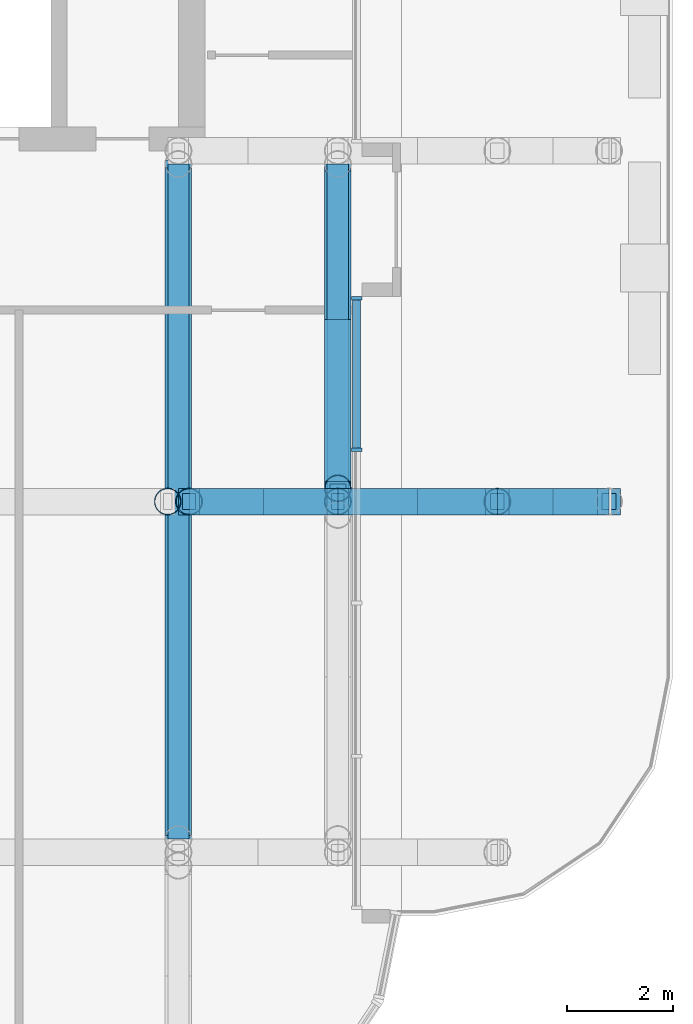
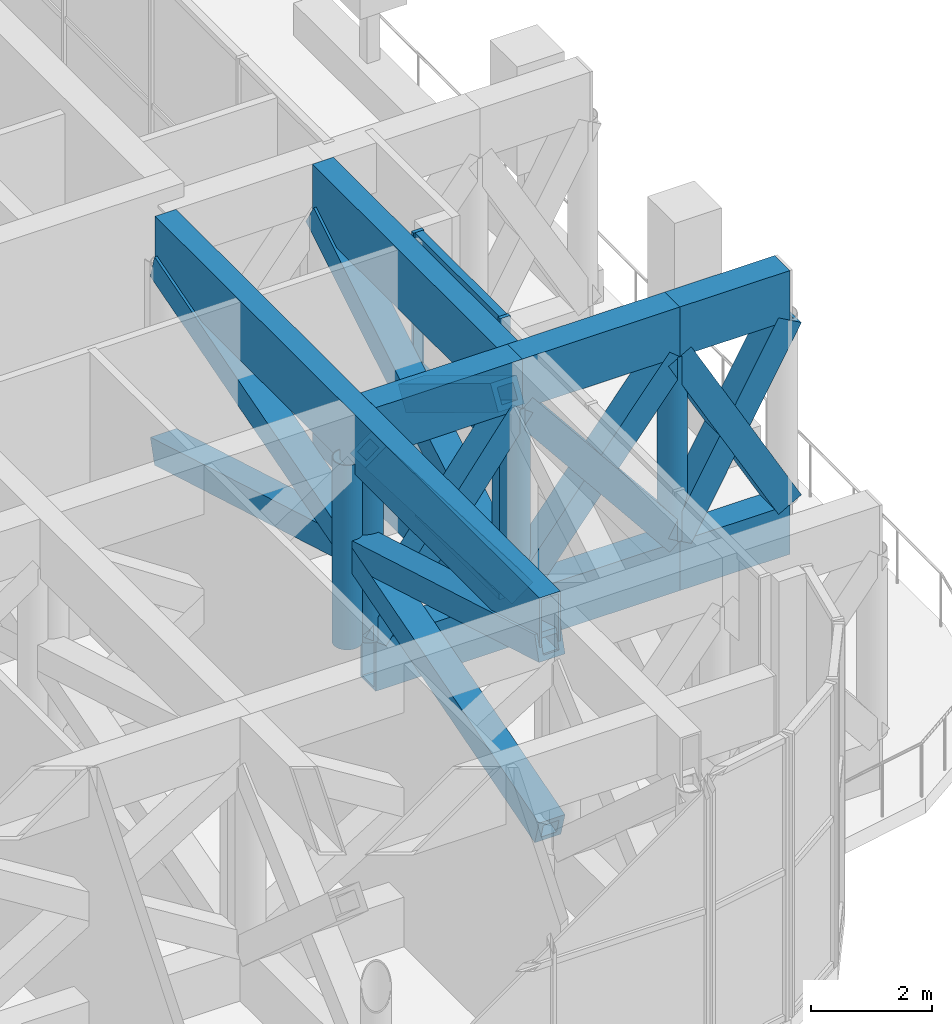
# One storey, part 6 of 25: 20 members, 9 beams, 1 element without a shape of its own.
"""IFC4 building model written with IfcOpenShell, lengths in metres."""

from ifc_helpers import new_model, si_unit, direction, frame, origin, origin_2d, place, context, subcontext, project, spatial, rectangle, hollow_rectangle, hollow_circle, extrude, material, layer, layer_set, material_profile, profile_set, type_object, element, aggregate, save


model = new_model("IFC4")

# Units and contexts
model_context = context("Model", 3, precision=1e-05, world=origin(), true_north=direction((0.0, 1.0)))
body_context = subcontext(model_context, "Body", "Model", "MODEL_VIEW")
ifc_project = project(units=[si_unit("LENGTHUNIT", "METRE"), si_unit("AREAUNIT", "SQUARE_METRE"), si_unit("VOLUMEUNIT", "CUBIC_METRE"), si_unit("PLANEANGLEUNIT", "RADIAN"), si_unit("MASSUNIT", "GRAM", prefix="KILO")], contexts=[model_context])

# Site, building, storey
site_placement = place(None, origin())
site = spatial("IfcSite", under=ifc_project, at=site_placement, CompositionType="ELEMENT")
building_placement = place(site_placement, origin())
building = spatial("IfcBuilding", under=site, at=building_placement, Name="Torana Hotel and Residences", CompositionType="ELEMENT")
storey_placement = place(building_placement, frame((0.0, 0.0, 106.800048828125)))
storey = spatial("IfcBuildingStorey", under=building, at=storey_placement, Name="L27", CompositionType="ELEMENT", Elevation=106.800048828125)

# Curtain wall, members
ifc_material_1 = material(Name="Dark anodised aluminium", Category="aluminium")
ifc_layer = layer(ifc_material_1, 0.199951171875)
ifc_layer_set = layer_set([ifc_layer], Name="CW2 SKY LOBBY UNITISED CURTAIN WALL")
curtain_wall_type = type_object("IfcCurtainWallType", Name="CW2 SKY LOBBY UNITISED CURTAIN WALL", PredefinedType="NOTDEFINED", material=ifc_layer_set)
curtain_wall_placement = place(storey_placement, origin())
curtain_wall = element("IfcCurtainWall", 1, at=curtain_wall_placement, inside=storey, type_object=curtain_wall_type, Name="Curtain wall CW2 L27 e0.19-1", PredefinedType="NOTDEFINED")
ifc_material_2 = material(Name="Dark anodised aluminium", Category="aluminium")
ifc_material_profile_1 = material_profile(ifc_material_2, rectangle(XDim=0.199951171875, YDim=0.070068359375, at=origin_2d()), Name="CW2 MULLION 70x200")
ifc_profile_set_1 = profile_set([ifc_material_profile_1], Name="Dark anodised aluminium")
member_type_1 = type_object("IfcMemberType", Name="CW2 MULLION 70x200", PredefinedType="MULLION", material=ifc_profile_set_1)
member_1_placement = place(storey_placement, frame((27.35498046875, -20.625244140625, 0.0), z_axis=(0.0, 0.0, 1.0), x_axis=(-1.0, 0.0, 0.0)))
member_1 = element("IfcMember", 2, at=member_1_placement, type_object=member_type_1, Name="CW2 mullion 4", PredefinedType="MULLION", context=body_context, shape_type="SweptSolid", body=[
    extrude(rectangle(XDim=0.199951171875, YDim=0.070068359375, at=origin_2d()), origin(), (0.0, 0.0, 1.0), 5.719970703125),
])
member_2_placement = place(storey_placement, frame((27.35498046875, -17.776611328125, 0.0), z_axis=(0.0, 0.0, 1.0), x_axis=(-1.0, 0.0, 0.0)))
member_2 = element("IfcMember", 3, at=member_2_placement, type_object=member_type_1, Name="CW2 mullion 5", PredefinedType="MULLION", context=body_context, shape_type="SweptSolid", body=[
    extrude(rectangle(XDim=0.199951171875, YDim=0.070068359375, at=origin_2d()), origin(), (0.0, 0.0, 1.0), 5.719970703125),
])
ifc_material_3 = material(Name="Dark anodised aluminium", Category="aluminium")
ifc_material_profile_2 = material_profile(ifc_material_3, rectangle(XDim=0.14990234375, YDim=0.1201171875, at=origin_2d()), Name="CW2 TRANSOM 150x120")
ifc_profile_set_2 = profile_set([ifc_material_profile_2], Name="Dark anodised aluminium")
member_type_2 = type_object("IfcMemberType", Name="CW2 TRANSOM 150x120", PredefinedType="USERDEFINED", material=ifc_profile_set_2)
member_3_placement = place(storey_placement, frame((27.35498046875, -20.590087890625, 0.06005859375), z_axis=(0.0, 1.0, 0.0), x_axis=(-1.0, 0.0, 0.0)))
member_3 = element("IfcMember", 4, at=member_3_placement, type_object=member_type_2, Name="CW2 transom 4.1", ObjectType="TRANSOM", PredefinedType="USERDEFINED", context=body_context, shape_type="SweptSolid", body=[
    extrude(rectangle(XDim=0.14990234375, YDim=0.1201171875, at=origin_2d()), origin(), (0.0, 0.0, 1.0), 2.7783203125),
])
member_4_placement = place(storey_placement, frame((27.35498046875, -20.590087890625, 3.0), z_axis=(0.0, 1.0, 0.0), x_axis=(-1.0, 0.0, 0.0)))
member_4 = element("IfcMember", 5, at=member_4_placement, type_object=member_type_2, Name="CW2 transom 4.2", ObjectType="TRANSOM", PredefinedType="USERDEFINED", context=body_context, shape_type="SweptSolid", body=[
    extrude(rectangle(XDim=0.14990234375, YDim=0.1201171875, at=origin_2d()), origin(), (0.0, 0.0, 1.0), 2.7783203125),
])
member_5_placement = place(storey_placement, frame((27.35498046875, -20.590087890625, 5.659912109375), z_axis=(0.0, 1.0, 0.0), x_axis=(-1.0, 0.0, 0.0)))
member_5 = element("IfcMember", 6, at=member_5_placement, type_object=member_type_2, Name="CW2 transom 4.3", ObjectType="TRANSOM", PredefinedType="USERDEFINED", context=body_context, shape_type="SweptSolid", body=[
    extrude(rectangle(XDim=0.14990234375, YDim=0.1201171875, at=origin_2d()), origin(), (0.0, 0.0, 1.0), 2.7783203125),
])
aggregate(curtain_wall, [member_1, member_2, member_3, member_4, member_5])

# Beams
ifc_material_4 = material(Name="Steel S355", Category="steel")
ifc_material_profile_3 = material_profile(ifc_material_4, hollow_rectangle(XDim=0.5, YDim=1.0, WallThickness=0.050048828125, at=origin_2d()), Name="BOX 1000x500x50")
ifc_profile_set_3 = profile_set([ifc_material_profile_3], Name="Steel S355")
beam_type_1 = type_object("IfcBeamType", Name="STEEL CHORD BOX 1000x500x50", PredefinedType="BEAM", material=ifc_profile_set_3)
for number, where, z_axis, x_axis, name in (
    (7, (24.199951171875, -21.60009765625, 0.5), (1.0, 0.0, 0.0), (0.0, 1.0, 0.0), "Transfer chord L27"),
    (8, (24.199951171875, -21.60009765625, 5.219970703125), (1.0, 0.0, 0.0), (0.0, 1.0, 0.0), "Transfer chord L27"),
):
    element("IfcBeam", number, at=place(storey_placement, frame(where, z_axis=z_axis, x_axis=x_axis)), inside=storey, type_object=beam_type_1, Name=name, PredefinedType="BEAM", context=body_context, shape_type="SweptSolid", body=[
        extrude(hollow_rectangle(XDim=0.5, YDim=1.0, WallThickness=0.050048828125, at=origin_2d()), origin(), (0.0, 0.0, 1.0), 2.800048828125),
    ])
for number, where, z_axis, x_axis, name in (
    (9, (27.0, -21.60009765625, 0.5), (1.0, 0.0, 0.0), (0.0, 1.0, 0.0), "Transfer chord L27"),
    (10, (27.0, -21.60009765625, 5.219970703125), (1.0, 0.0, 0.0), (0.0, 1.0, 0.0), "Transfer chord L27"),
):
    element("IfcBeam", number, at=place(storey_placement, frame(where, z_axis=z_axis, x_axis=x_axis)), inside=storey, type_object=beam_type_1, Name=name, PredefinedType="BEAM", context=body_context, shape_type="SweptSolid", body=[
        extrude(hollow_rectangle(XDim=0.5, YDim=1.0, WallThickness=0.050048828125, at=origin_2d()), origin(), (0.0, 0.0, 1.0), 3.0),
    ])
for number, where, z_axis, x_axis, name in (
    (11, (30.0, -21.60009765625, 0.5), (1.0, 0.0, 0.0), (0.0, 1.0, 0.0), "Transfer chord L27"),
    (12, (30.0, -21.60009765625, 5.219970703125), (1.0, 0.0, 0.0), (0.0, 1.0, 0.0), "Transfer chord L27"),
):
    element("IfcBeam", number, at=place(storey_placement, frame(where, z_axis=z_axis, x_axis=x_axis)), inside=storey, type_object=beam_type_1, Name=name, PredefinedType="BEAM", context=body_context, shape_type="SweptSolid", body=[
        extrude(hollow_rectangle(XDim=0.5, YDim=1.0, WallThickness=0.050048828125, at=origin_2d()), origin(), (0.0, 0.0, 1.0), 2.10009765625),
    ])
ifc_material_5 = material(Name="Steel S355", Category="steel")
ifc_material_profile_4 = material_profile(ifc_material_5, hollow_rectangle(XDim=0.39990234375, YDim=1.199951171875, WallThickness=0.0400390625, at=origin_2d()), Name="BOX 1200x400x40")
ifc_profile_set_4 = profile_set([ifc_material_profile_4], Name="Steel S355")
beam_type_2 = type_object("IfcBeamType", Name="STEEL CHORD BOX 1200x400x40", PredefinedType="BEAM", material=ifc_profile_set_4)
beam_placement = place(storey_placement, frame((24.0, -27.949951171875, 5.119873046875), z_axis=(0.0, 1.0, 0.0), x_axis=(-1.0, 0.0, 0.0)))
element("IfcBeam", 13, at=beam_placement, inside=storey, type_object=beam_type_2, Name="Transfer chord L27", PredefinedType="BEAM", context=body_context, shape_type="SweptSolid", body=[
    extrude(hollow_rectangle(XDim=0.39990234375, YDim=1.199951171875, WallThickness=0.0400390625, at=origin_2d()), origin(), (0.0, 0.0, 1.0), 12.699951171875),
])
for number, where, z_axis, x_axis, name in (
    (14, (27.0, -21.35009765625, 0.599853515625), (0.0, 1.0, 0.0), (-1.0, 0.0, 0.0), "Transfer chord L27"),
    (15, (27.0, -21.35009765625, 5.119873046875), (0.0, 1.0, 0.0), (-1.0, 0.0, 0.0), "Transfer chord L27"),
):
    element("IfcBeam", number, at=place(storey_placement, frame(where, z_axis=z_axis, x_axis=x_axis)), inside=storey, type_object=beam_type_2, Name=name, PredefinedType="BEAM", context=body_context, shape_type="SweptSolid", body=[
        extrude(hollow_rectangle(XDim=0.39990234375, YDim=1.199951171875, WallThickness=0.0400390625, at=origin_2d()), origin(), (0.0, 0.0, 1.0), 6.10009765625),
    ])

# Members
ifc_material_6 = material(Name="Steel S355", Category="steel")
ifc_material_profile_5 = material_profile(ifc_material_6, hollow_rectangle(XDim=0.5, YDim=0.5, WallThickness=0.10009765625, at=origin_2d()), Name="BOX 500x500x100")
ifc_profile_set_5 = profile_set([ifc_material_profile_5], Name="Steel S355")
member_type_3 = type_object("IfcMemberType", Name="STEEL DIAGONAL BOX 500x500x100", PredefinedType="BRACE", material=ifc_profile_set_5)
for number, where, z_axis, x_axis, name in (
    (16, (24.199951171875, -21.60009765625, 1.0), (0.60138340044, 0.0, 0.798960578299), (0.0, 1.0, 0.0), "Truss diagonal L27"),
    (17, (27.0, -21.60009765625, 1.0), (-0.60138340044, 0.0, 0.798960578299), (0.0, -1.0, 0.0), "Truss diagonal L27"),
):
    element("IfcMember", number, at=place(storey_placement, frame(where, z_axis=z_axis, x_axis=x_axis)), inside=storey, type_object=member_type_3, Name=name, PredefinedType="BRACE", context=body_context, shape_type="SweptSolid", body=[
        extrude(hollow_rectangle(XDim=0.5, YDim=0.5, WallThickness=0.10009765625, at=origin_2d()), origin(), (0.0, 0.0, 1.0), 4.656005859375),
    ])
for number, where, z_axis, x_axis, name in (
    (18, (27.0, -21.60009765625, 1.0), (0.627755446821, 0.0, 0.778410623634), (0.0, 1.0, 0.0), "Truss diagonal L27"),
    (19, (30.0, -21.60009765625, 1.0), (-0.627755446821, 0.0, 0.778410623634), (0.0, -1.0, 0.0), "Truss diagonal L27"),
):
    element("IfcMember", number, at=place(storey_placement, frame(where, z_axis=z_axis, x_axis=x_axis)), inside=storey, type_object=member_type_3, Name=name, PredefinedType="BRACE", context=body_context, shape_type="SweptSolid", body=[
        extrude(hollow_rectangle(XDim=0.5, YDim=0.5, WallThickness=0.10009765625, at=origin_2d()), origin(), (0.0, 0.0, 1.0), 4.779052734375),
    ])
for number, where, z_axis, x_axis, name in (
    (20, (30.0, -21.60009765625, 1.0), (0.491614639726, 0.0, 0.87081286509), (0.0, 1.0, 0.0), "Truss diagonal L27"),
    (21, (32.10009765625, -21.60009765625, 1.0), (-0.491614639726, 0.0, 0.87081286509), (0.0, -1.0, 0.0), "Truss diagonal L27"),
):
    element("IfcMember", number, at=place(storey_placement, frame(where, z_axis=z_axis, x_axis=x_axis)), inside=storey, type_object=member_type_3, Name=name, PredefinedType="BRACE", context=body_context, shape_type="SweptSolid", body=[
        extrude(hollow_rectangle(XDim=0.5, YDim=0.5, WallThickness=0.10009765625, at=origin_2d()), origin(), (0.0, 0.0, 1.0), 4.271728515625),
    ])
for number, where, z_axis, x_axis, name in (
    (22, (24.0, -27.949951171875, 1.0), (0.0, 0.95967806702, 0.281101418851), (-1.0, 0.0, 0.0), "Truss diagonal L27"),
    (23, (24.0, -15.25, 1.0), (0.0, -0.95967806702, 0.281101418851), (1.0, 0.0, 0.0), "Truss diagonal L27"),
):
    element("IfcMember", number, at=place(storey_placement, frame(where, z_axis=z_axis, x_axis=x_axis)), inside=storey, type_object=member_type_3, Name=name, PredefinedType="BRACE", context=body_context, shape_type="SweptSolid", body=[
        extrude(hollow_rectangle(XDim=0.5, YDim=0.5, WallThickness=0.10009765625, at=origin_2d()), origin(), (0.0, 0.0, 1.0), 13.233642578125),
    ])
member_6_placement = place(storey_placement, frame((27.0, -21.35009765625, 1.0), z_axis=(0.0, 0.853771354905, 0.520648128339), x_axis=(-1.0, 0.0, 0.0)))
element("IfcMember", 24, at=member_6_placement, inside=storey, type_object=member_type_3, Name="Truss diagonal L27", PredefinedType="BRACE", context=body_context, shape_type="SweptSolid", body=[
    extrude(hollow_rectangle(XDim=0.5, YDim=0.5, WallThickness=0.10009765625, at=origin_2d()), origin(), (0.0, 0.0, 1.0), 7.144775390625),
])
member_7_placement = place(storey_placement, frame((27.0, -18.300048828125, 2.85986328125), z_axis=(0.0, -0.853756165758, 0.520673035052), x_axis=(1.0, 0.0, 0.0)))
element("IfcMember", 25, at=member_7_placement, inside=storey, type_object=member_type_3, Name="Truss diagonal L27", PredefinedType="BRACE", context=body_context, shape_type="SweptSolid", body=[
    extrude(hollow_rectangle(XDim=0.5, YDim=0.5, WallThickness=0.10009765625, at=origin_2d()), origin(), (0.0, 0.0, 1.0), 3.572509765625),
])
ifc_material_7 = material(Name="Steel S355", Category="steel")
ifc_material_profile_6 = material_profile(ifc_material_7, hollow_circle(Radius=0.25390625, WallThickness=0.01611328125, at=origin_2d()), Name="508x16 CHS")
ifc_profile_set_6 = profile_set([ifc_material_profile_6], Name="Steel S355")
member_type_4 = type_object("IfcMemberType", Name="STEEL POST 508x16 CHS", PredefinedType="POST", material=ifc_profile_set_6)
for number, where, z_axis, x_axis, name in (
    (26, (23.800048828125, -21.60009765625, 1.0), (0.0, 0.0, 1.0), (1.0, 0.0, 0.0), "Truss post L27"),
    (27, (24.199951171875, -21.60009765625, 1.0), (0.0, 0.0, 1.0), (1.0, 0.0, 0.0), "Truss post L27"),
    (28, (27.0, -21.60009765625, 1.0), (0.0, 0.0, 1.0), (1.0, 0.0, 0.0), "Truss post L27"),
    (29, (30.0, -21.60009765625, 1.0), (0.0, 0.0, 1.0), (1.0, 0.0, 0.0), "Truss post L27"),
    (30, (27.0, -21.35009765625, 1.0), (0.0, 0.0, 1.0), (1.0, 0.0, 0.0), "Truss post L27"),
):
    element("IfcMember", number, at=place(storey_placement, frame(where, z_axis=z_axis, x_axis=x_axis)), inside=storey, type_object=member_type_4, Name=name, PredefinedType="POST", context=body_context, shape_type="SweptSolid", body=[
        extrude(hollow_circle(Radius=0.25390625, WallThickness=0.01611328125, at=origin_2d()), origin(), (0.0, 0.0, 1.0), 3.719970703125),
    ])

save(model, "model.ifc")
